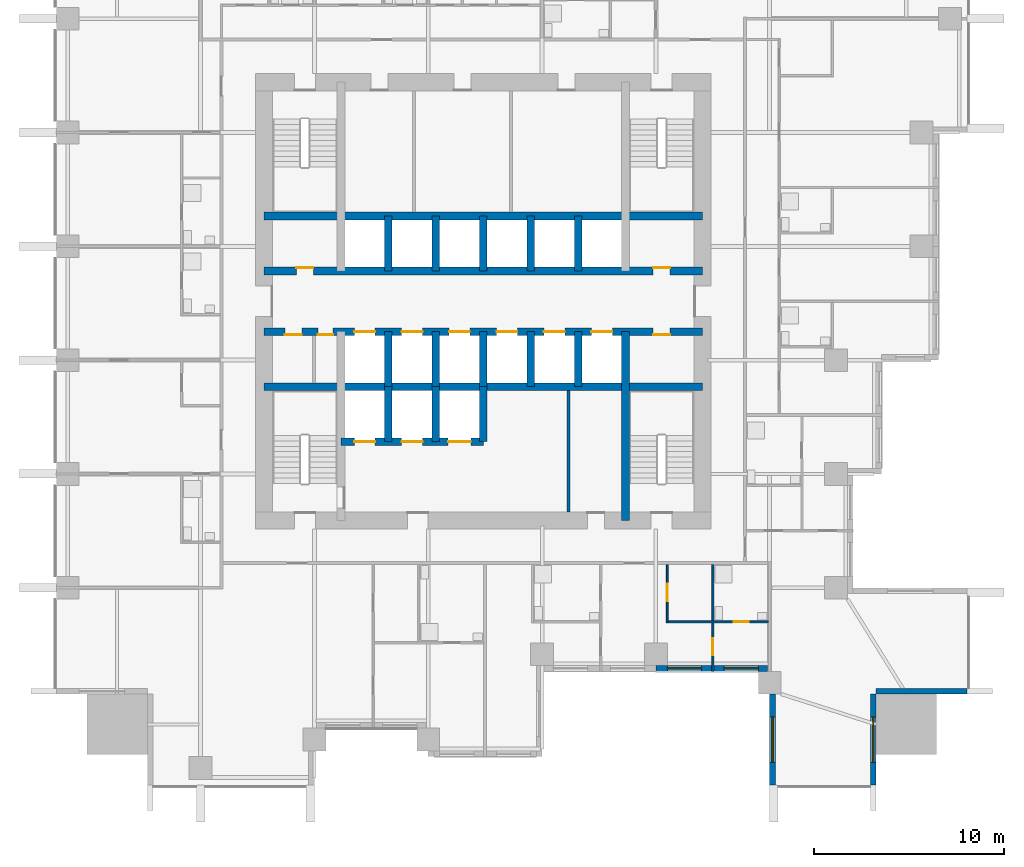
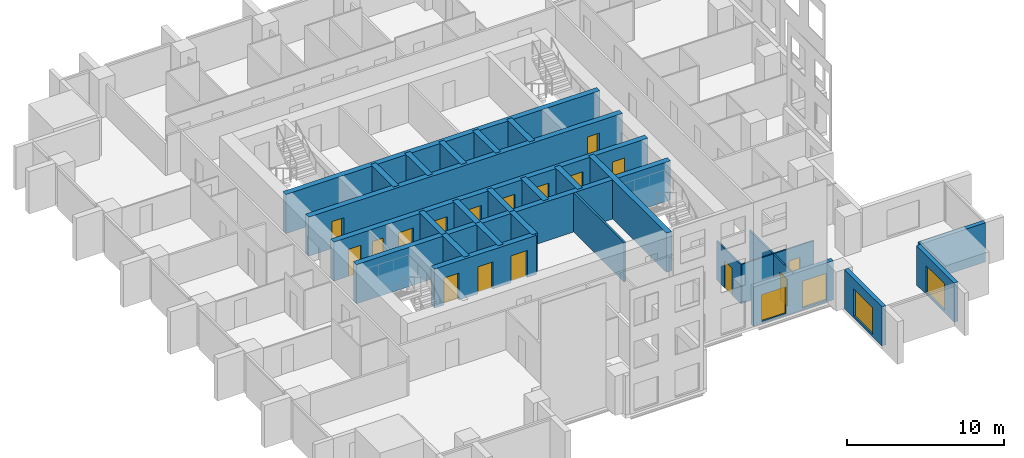
# One storey, part 5 of 11: 27 walls, 17 doors, 4 windows, 21 openings.
"""IFC4 building model written with IfcOpenShell, lengths in metres."""

from ifc_helpers import new_model, si_unit, direction, frame, frame_2d, origin, place, context, subcontext, project, spatial, rectangle, extrude, material, layer, layer_set, type_object, element, fill, save


model = new_model("IFC4")

# Units and contexts
model_context = context("Model", 3, precision=1e-05, world=origin(), true_north=direction((0.0, 1.0)))
body_context = subcontext(model_context, "Body", "Model", "MODEL_VIEW")
ifc_project = project(units=[si_unit("LENGTHUNIT", "METRE"), si_unit("AREAUNIT", "SQUARE_METRE"), si_unit("VOLUMEUNIT", "CUBIC_METRE"), si_unit("PLANEANGLEUNIT", "RADIAN"), si_unit("MASSUNIT", "GRAM", prefix="KILO")], contexts=[model_context])

# Site, building, storey
site_placement = place(None, origin())
site = spatial("IfcSite", under=ifc_project, at=site_placement, CompositionType="ELEMENT")
building_placement = place(site_placement, origin())
building = spatial("IfcBuilding", under=site, at=building_placement, Name="Amberfall Residences", CompositionType="ELEMENT")
storey_placement = place(building_placement, frame((0.0, 0.0, 43.300048828125)))
storey = spatial("IfcBuildingStorey", under=building, at=storey_placement, Name="L11", CompositionType="ELEMENT", Elevation=43.300048828125)

# Wall, opening, window
ifc_material_1 = material(Name="Pale stone cladding on insulated backing", Category="masonry")
ifc_layer_1 = layer(ifc_material_1, 0.300048828125)
ifc_layer_set_1 = layer_set([ifc_layer_1], Name="Bronze clad wall 300")
wall_type_1 = type_object("IfcWallType", Name="Bronze clad wall 300", PredefinedType="SOLIDWALL", material=ifc_layer_set_1)
wall_1_placement = place(storey_placement, frame((89.75, 24.800048828125, 0.0), z_axis=(0.0, 0.0, 1.0), x_axis=(0.0, -1.0, 0.0)))
wall_1 = element("IfcWall", 1, at=wall_1_placement, inside=storey, type_object=wall_type_1, Name="External wall L11 S", PredefinedType="SOLIDWALL", context=body_context, shape_type="SweptSolid", body=[
    extrude(rectangle(XDim=4.800048828125, YDim=0.300048828125, at=frame_2d((2.39990234375, 0.0))), origin(), (0.0, 0.0, 1.0), 3.050048828125),
])
opening_1_placement = place(wall_1_placement, frame((1.199951171875, 0.0, 0.14990234375)))
opening_1 = element("IfcOpeningElement", 2, at=opening_1_placement, cuts=wall_1, Name="Opening WN5", PredefinedType="OPENING", context=body_context, shape_type="SweptSolid", body=[
    extrude(rectangle(XDim=2.39990234375, YDim=2.10009765625, at=frame_2d((1.199951171875, 1.050048828125))), frame((0.0, 0.159912109375, 0.0), z_axis=(0.0, -1.0, 0.0), x_axis=(1.0, 0.0, 0.0)), (0.0, 0.0, 1.0), 0.320068359375),
])
ifc_material_2 = material(Name="Bronze aluminium framed glazing", Category="aluminium")
window_type_1 = type_object("IfcWindowType", Name="Glazed opening 2400 x 2100 bronze", PartitioningType="DOUBLE_PANEL_VERTICAL", PredefinedType="WINDOW", material=ifc_material_2)
window_1_placement = place(opening_1_placement, origin())
window_1 = element("IfcWindow", 3, at=window_1_placement, inside=storey, type_object=window_type_1, Name="Window L11 S", OverallHeight=2.10009765625, OverallWidth=2.39990234375, PartitioningType="DOUBLE_PANEL_VERTICAL", PredefinedType="WINDOW", context=body_context, shape_type="SweptSolid", body=[
    extrude(rectangle(XDim=2.39990234375, YDim=2.10009765625, at=frame_2d((1.199951171875, 1.050048828125))), frame((0.0, 0.030029296875, 0.0), z_axis=(0.0, -1.0, 0.0), x_axis=(1.0, 0.0, 0.0)), (0.0, 0.0, 1.0), 0.06005859375),
])
fill(opening_1, window_1)

wall_2_placement = place(storey_placement, frame((95.050048828125, 20.0, 0.0), z_axis=(0.0, 0.0, 1.0), x_axis=(0.0, 1.0, 0.0)))
wall_2 = element("IfcWall", 4, at=wall_2_placement, inside=storey, type_object=wall_type_1, Name="External wall L11 SE", PredefinedType="SOLIDWALL", context=body_context, shape_type="SweptSolid", body=[
    extrude(rectangle(XDim=4.800048828125, YDim=0.300048828125, at=frame_2d((2.39990234375, 0.0))), origin(), (0.0, 0.0, 1.0), 3.050048828125),
])
opening_2_placement = place(wall_2_placement, frame((1.199951171875, 0.0, 0.14990234375)))
opening_2 = element("IfcOpeningElement", 5, at=opening_2_placement, cuts=wall_2, Name="Opening WN5", PredefinedType="OPENING", context=body_context, shape_type="SweptSolid", body=[
    extrude(rectangle(XDim=2.39990234375, YDim=2.10009765625, at=frame_2d((1.199951171875, 1.050048828125))), frame((0.0, 0.159912109375, 0.0), z_axis=(0.0, -1.0, 0.0), x_axis=(1.0, 0.0, 0.0)), (0.0, 0.0, 1.0), 0.320068359375),
])
window_2_placement = place(opening_2_placement, origin())
window_2 = element("IfcWindow", 6, at=window_2_placement, inside=storey, type_object=window_type_1, Name="Window L11 SE", OverallHeight=2.10009765625, OverallWidth=2.39990234375, PartitioningType="DOUBLE_PANEL_VERTICAL", PredefinedType="WINDOW", context=body_context, shape_type="SweptSolid", body=[
    extrude(rectangle(XDim=2.39990234375, YDim=2.10009765625, at=frame_2d((1.199951171875, 1.050048828125))), frame((0.0, 0.030029296875, 0.0), z_axis=(0.0, -1.0, 0.0), x_axis=(1.0, 0.0, 0.0)), (0.0, 0.0, 1.0), 0.06005859375),
])
fill(opening_2, window_2)

# Wall
wall_3_placement = place(storey_placement, frame((95.199951171875, 24.949951171875, 0.0), z_axis=(0.0, 0.0, 1.0), x_axis=(1.0, 0.0, 0.0)))
element("IfcWall", 7, at=wall_3_placement, inside=storey, type_object=wall_type_1, Name="External wall L11 SE", PredefinedType="SOLIDWALL", context=body_context, shape_type="SweptSolid", body=[
    extrude(rectangle(XDim=4.800048828125, YDim=0.300048828125, at=frame_2d((2.39990234375, 0.0))), origin(), (0.0, 0.0, 1.0), 3.050048828125),
])

# Wall, openings, windows
wall_4_placement = place(storey_placement, frame((83.60009765625, 26.14990234375, 0.0), z_axis=(0.0, 0.0, 1.0), x_axis=(1.0, 0.0, 0.0)))
wall_4 = element("IfcWall", 8, at=wall_4_placement, inside=storey, type_object=wall_type_1, Name="Stone wall L11 S", PredefinedType="SOLIDWALL", context=body_context, shape_type="SweptSolid", body=[
    extrude(rectangle(XDim=5.889892578125, YDim=0.300048828125, at=frame_2d((2.94482421875, 0.0))), origin(), (0.0, 0.0, 1.0), 3.050048828125),
])
opening_3_placement = place(wall_4_placement, frame((0.60009765625, 0.0, 0.14990234375)))
opening_3 = element("IfcOpeningElement", 9, at=opening_3_placement, cuts=wall_4, Name="Opening WN6", PredefinedType="OPENING", context=body_context, shape_type="SweptSolid", body=[
    extrude(rectangle(XDim=1.800048828125, YDim=2.10009765625, at=frame_2d((0.89990234375, 1.050048828125))), frame((0.0, 0.159912109375, 0.0), z_axis=(0.0, -1.0, 0.0), x_axis=(1.0, 0.0, 0.0)), (0.0, 0.0, 1.0), 0.320068359375),
])
opening_4_placement = place(wall_4_placement, frame((3.60009765625, 0.0, 0.14990234375)))
opening_4 = element("IfcOpeningElement", 10, at=opening_4_placement, cuts=wall_4, Name="Opening WN6", PredefinedType="OPENING", context=body_context, shape_type="SweptSolid", body=[
    extrude(rectangle(XDim=1.800048828125, YDim=2.10009765625, at=frame_2d((0.89990234375, 1.050048828125))), frame((0.0, 0.159912109375, 0.0), z_axis=(0.0, -1.0, 0.0), x_axis=(1.0, 0.0, 0.0)), (0.0, 0.0, 1.0), 0.320068359375),
])
window_type_2 = type_object("IfcWindowType", Name="Glazed opening 1800 x 2100 bronze", PartitioningType="DOUBLE_PANEL_VERTICAL", PredefinedType="WINDOW", material=ifc_material_2)
window_3_placement = place(opening_3_placement, origin())
window_3 = element("IfcWindow", 11, at=window_3_placement, inside=storey, type_object=window_type_2, Name="Window L11 S", OverallHeight=2.10009765625, OverallWidth=1.800048828125, PartitioningType="DOUBLE_PANEL_VERTICAL", PredefinedType="WINDOW", context=body_context, shape_type="SweptSolid", body=[
    extrude(rectangle(XDim=1.800048828125, YDim=2.10009765625, at=frame_2d((0.89990234375, 1.050048828125))), frame((0.0, 0.030029296875, 0.0), z_axis=(0.0, -1.0, 0.0), x_axis=(1.0, 0.0, 0.0)), (0.0, 0.0, 1.0), 0.06005859375),
])
fill(opening_3, window_3)
window_4_placement = place(opening_4_placement, origin())
window_4 = element("IfcWindow", 12, at=window_4_placement, inside=storey, type_object=window_type_2, Name="Window L11 S", OverallHeight=2.10009765625, OverallWidth=1.800048828125, PartitioningType="DOUBLE_PANEL_VERTICAL", PredefinedType="WINDOW", context=body_context, shape_type="SweptSolid", body=[
    extrude(rectangle(XDim=1.800048828125, YDim=2.10009765625, at=frame_2d((0.89990234375, 1.050048828125))), frame((0.0, 0.030029296875, 0.0), z_axis=(0.0, -1.0, 0.0), x_axis=(1.0, 0.0, 0.0)), (0.0, 0.0, 1.0), 0.06005859375),
])
fill(opening_4, window_4)

# Wall
ifc_material_3 = material(Name="Concrete C80", Category="concrete")
ifc_layer_2 = layer(ifc_material_3, 0.39990234375)
ifc_layer_set_2 = layer_set([ifc_layer_2], Name="Core wall 400 C80")
wall_type_2 = type_object("IfcWallType", Name="Core wall 400 C80", PredefinedType="SHEAR", material=ifc_layer_set_2)
wall_5_placement = place(storey_placement, frame((62.949951171875, 41.0, 0.0), z_axis=(0.0, 0.0, 1.0), x_axis=(1.0, 0.0, 0.0)))
element("IfcWall", 13, at=wall_5_placement, inside=storey, type_object=wall_type_2, Name="Core wall RW2 L11 H75", PredefinedType="SHEAR", context=body_context, shape_type="SweptSolid", body=[
    extrude(rectangle(XDim=23.10009765625, YDim=0.39990234375, at=frame_2d((11.550048828125, 0.0))), origin(), (0.0, 0.0, 1.0), 3.050048828125),
])

# Wall, openings, doors
wall_6_placement = place(storey_placement, frame((62.949951171875, 43.89990234375, 0.0), z_axis=(0.0, 0.0, 1.0), x_axis=(1.0, 0.0, 0.0)))
wall_6 = element("IfcWall", 14, at=wall_6_placement, inside=storey, type_object=wall_type_2, Name="Core wall RW2 L11 H104", PredefinedType="SHEAR", context=body_context, shape_type="SweptSolid", body=[
    extrude(rectangle(XDim=23.10009765625, YDim=0.39990234375, at=frame_2d((11.550048828125, 0.0))), origin(), (0.0, 0.0, 1.0), 3.050048828125),
])
opening_5_placement = place(wall_6_placement, frame((1.087890625, 0.0, 0.0)))
opening_5 = element("IfcOpeningElement", 15, at=opening_5_placement, cuts=wall_6, Name="Opening RD1", PredefinedType="OPENING", context=body_context, shape_type="SweptSolid", body=[
    extrude(rectangle(XDim=0.89990234375, YDim=2.10009765625, at=frame_2d((0.449951171875, 1.050048828125))), frame((0.0, 0.2099609375, 0.0), z_axis=(0.0, -1.0, 0.0), x_axis=(1.0, 0.0, 0.0)), (0.0, 0.0, 1.0), 0.419921875),
])
opening_6_placement = place(wall_6_placement, frame((2.837890625, 0.0, 0.0)))
opening_6 = element("IfcOpeningElement", 16, at=opening_6_placement, cuts=wall_6, Name="Opening RD2", PredefinedType="OPENING", context=body_context, shape_type="SweptSolid", body=[
    extrude(rectangle(XDim=0.800048828125, YDim=2.10009765625, at=frame_2d((0.39990234375, 1.050048828125))), frame((0.0, 0.2099609375, 0.0), z_axis=(0.0, -1.0, 0.0), x_axis=(1.0, 0.0, 0.0)), (0.0, 0.0, 1.0), 0.419921875),
])
opening_7_placement = place(wall_6_placement, frame((20.5, 0.0, 0.0)))
opening_7 = element("IfcOpeningElement", 17, at=opening_7_placement, cuts=wall_6, Name="Opening RD1", PredefinedType="OPENING", context=body_context, shape_type="SweptSolid", body=[
    extrude(rectangle(XDim=0.89990234375, YDim=2.10009765625, at=frame_2d((0.449951171875, 1.050048828125))), frame((0.0, 0.2099609375, 0.0), z_axis=(0.0, -1.0, 0.0), x_axis=(1.0, 0.0, 0.0)), (0.0, 0.0, 1.0), 0.419921875),
])
opening_8_placement = place(wall_6_placement, frame((4.75, 0.0, 0.0)))
opening_8 = element("IfcOpeningElement", 18, at=opening_8_placement, cuts=wall_6, Name="Opening LD1", PredefinedType="OPENING", context=body_context, shape_type="SweptSolid", body=[
    extrude(rectangle(XDim=1.10009765625, YDim=2.10009765625, at=frame_2d((0.550048828125, 1.050048828125))), frame((0.0, 0.2099609375, 0.0), z_axis=(0.0, -1.0, 0.0), x_axis=(1.0, 0.0, 0.0)), (0.0, 0.0, 1.0), 0.419921875),
])
opening_9_placement = place(wall_6_placement, frame((7.25, 0.0, 0.0)))
opening_9 = element("IfcOpeningElement", 19, at=opening_9_placement, cuts=wall_6, Name="Opening LD1", PredefinedType="OPENING", context=body_context, shape_type="SweptSolid", body=[
    extrude(rectangle(XDim=1.10009765625, YDim=2.10009765625, at=frame_2d((0.550048828125, 1.050048828125))), frame((0.0, 0.2099609375, 0.0), z_axis=(0.0, -1.0, 0.0), x_axis=(1.0, 0.0, 0.0)), (0.0, 0.0, 1.0), 0.419921875),
])
opening_10_placement = place(wall_6_placement, frame((9.75, 0.0, 0.0)))
opening_10 = element("IfcOpeningElement", 20, at=opening_10_placement, cuts=wall_6, Name="Opening LD1", PredefinedType="OPENING", context=body_context, shape_type="SweptSolid", body=[
    extrude(rectangle(XDim=1.10009765625, YDim=2.10009765625, at=frame_2d((0.550048828125, 1.050048828125))), frame((0.0, 0.2099609375, 0.0), z_axis=(0.0, -1.0, 0.0), x_axis=(1.0, 0.0, 0.0)), (0.0, 0.0, 1.0), 0.419921875),
])
opening_11_placement = place(wall_6_placement, frame((12.25, 0.0, 0.0)))
opening_11 = element("IfcOpeningElement", 21, at=opening_11_placement, cuts=wall_6, Name="Opening LD1", PredefinedType="OPENING", context=body_context, shape_type="SweptSolid", body=[
    extrude(rectangle(XDim=1.10009765625, YDim=2.10009765625, at=frame_2d((0.550048828125, 1.050048828125))), frame((0.0, 0.2099609375, 0.0), z_axis=(0.0, -1.0, 0.0), x_axis=(1.0, 0.0, 0.0)), (0.0, 0.0, 1.0), 0.419921875),
])
opening_12_placement = place(wall_6_placement, frame((14.75, 0.0, 0.0)))
opening_12 = element("IfcOpeningElement", 22, at=opening_12_placement, cuts=wall_6, Name="Opening LD1", PredefinedType="OPENING", context=body_context, shape_type="SweptSolid", body=[
    extrude(rectangle(XDim=1.10009765625, YDim=2.10009765625, at=frame_2d((0.550048828125, 1.050048828125))), frame((0.0, 0.2099609375, 0.0), z_axis=(0.0, -1.0, 0.0), x_axis=(1.0, 0.0, 0.0)), (0.0, 0.0, 1.0), 0.419921875),
])
opening_13_placement = place(wall_6_placement, frame((17.25, 0.0, 0.0)))
opening_13 = element("IfcOpeningElement", 23, at=opening_13_placement, cuts=wall_6, Name="Opening LD1", PredefinedType="OPENING", context=body_context, shape_type="SweptSolid", body=[
    extrude(rectangle(XDim=1.10009765625, YDim=2.10009765625, at=frame_2d((0.550048828125, 1.050048828125))), frame((0.0, 0.2099609375, 0.0), z_axis=(0.0, -1.0, 0.0), x_axis=(1.0, 0.0, 0.0)), (0.0, 0.0, 1.0), 0.419921875),
])
ifc_material_4 = material(Name="Steel fire door set", Category="steel")
door_type_1 = type_object("IfcDoorType", Name="Lift landing door 1100 x 2100", OperationType="DOUBLE_DOOR_SLIDING", PredefinedType="DOOR", material=ifc_material_4)
door_1_placement = place(opening_8_placement, origin())
door_1 = element("IfcDoor", 24, at=door_1_placement, inside=storey, type_object=door_type_1, Name="Landing door LP1 L11", OperationType="DOUBLE_DOOR_SLIDING", OverallHeight=2.10009765625, OverallWidth=1.10009765625, PredefinedType="DOOR", context=body_context, shape_type="SweptSolid", body=[
    extrude(rectangle(XDim=1.10009765625, YDim=2.10009765625, at=frame_2d((0.550048828125, 1.050048828125))), frame((0.0, 0.02490234375, 0.0), z_axis=(0.0, -1.0, 0.0), x_axis=(1.0, 0.0, 0.0)), (0.0, 0.0, 1.0), 0.050048828125),
])
fill(opening_8, door_1)
door_2_placement = place(opening_9_placement, origin())
door_2 = element("IfcDoor", 25, at=door_2_placement, inside=storey, type_object=door_type_1, Name="Landing door LP2 L11", OperationType="DOUBLE_DOOR_SLIDING", OverallHeight=2.10009765625, OverallWidth=1.10009765625, PredefinedType="DOOR", context=body_context, shape_type="SweptSolid", body=[
    extrude(rectangle(XDim=1.10009765625, YDim=2.10009765625, at=frame_2d((0.550048828125, 1.050048828125))), frame((0.0, 0.02490234375, 0.0), z_axis=(0.0, -1.0, 0.0), x_axis=(1.0, 0.0, 0.0)), (0.0, 0.0, 1.0), 0.050048828125),
])
fill(opening_9, door_2)
door_3_placement = place(opening_10_placement, origin())
door_3 = element("IfcDoor", 26, at=door_3_placement, inside=storey, type_object=door_type_1, Name="Landing door LP3 L11", OperationType="DOUBLE_DOOR_SLIDING", OverallHeight=2.10009765625, OverallWidth=1.10009765625, PredefinedType="DOOR", context=body_context, shape_type="SweptSolid", body=[
    extrude(rectangle(XDim=1.10009765625, YDim=2.10009765625, at=frame_2d((0.550048828125, 1.050048828125))), frame((0.0, 0.02490234375, 0.0), z_axis=(0.0, -1.0, 0.0), x_axis=(1.0, 0.0, 0.0)), (0.0, 0.0, 1.0), 0.050048828125),
])
fill(opening_10, door_3)
door_4_placement = place(opening_11_placement, origin())
door_4 = element("IfcDoor", 27, at=door_4_placement, inside=storey, type_object=door_type_1, Name="Landing door LP4 L11", OperationType="DOUBLE_DOOR_SLIDING", OverallHeight=2.10009765625, OverallWidth=1.10009765625, PredefinedType="DOOR", context=body_context, shape_type="SweptSolid", body=[
    extrude(rectangle(XDim=1.10009765625, YDim=2.10009765625, at=frame_2d((0.550048828125, 1.050048828125))), frame((0.0, 0.02490234375, 0.0), z_axis=(0.0, -1.0, 0.0), x_axis=(1.0, 0.0, 0.0)), (0.0, 0.0, 1.0), 0.050048828125),
])
fill(opening_11, door_4)
door_5_placement = place(opening_12_placement, origin())
door_5 = element("IfcDoor", 28, at=door_5_placement, inside=storey, type_object=door_type_1, Name="Landing door LP5 L11", OperationType="DOUBLE_DOOR_SLIDING", OverallHeight=2.10009765625, OverallWidth=1.10009765625, PredefinedType="DOOR", context=body_context, shape_type="SweptSolid", body=[
    extrude(rectangle(XDim=1.10009765625, YDim=2.10009765625, at=frame_2d((0.550048828125, 1.050048828125))), frame((0.0, 0.02490234375, 0.0), z_axis=(0.0, -1.0, 0.0), x_axis=(1.0, 0.0, 0.0)), (0.0, 0.0, 1.0), 0.050048828125),
])
fill(opening_12, door_5)
door_6_placement = place(opening_13_placement, origin())
door_6 = element("IfcDoor", 29, at=door_6_placement, inside=storey, type_object=door_type_1, Name="Landing door LP6 L11", OperationType="DOUBLE_DOOR_SLIDING", OverallHeight=2.10009765625, OverallWidth=1.10009765625, PredefinedType="DOOR", context=body_context, shape_type="SweptSolid", body=[
    extrude(rectangle(XDim=1.10009765625, YDim=2.10009765625, at=frame_2d((0.550048828125, 1.050048828125))), frame((0.0, 0.02490234375, 0.0), z_axis=(0.0, -1.0, 0.0), x_axis=(1.0, 0.0, 0.0)), (0.0, 0.0, 1.0), 0.050048828125),
])
fill(opening_13, door_6)
door_type_2 = type_object("IfcDoorType", Name="Service room door 800 x 2100", OperationType="SINGLE_SWING_LEFT", PredefinedType="DOOR", material=ifc_material_4)
door_7_placement = place(opening_6_placement, origin())
door_7 = element("IfcDoor", 30, at=door_7_placement, inside=storey, type_object=door_type_2, Name="RD2 L11", OperationType="SINGLE_SWING_RIGHT", OverallHeight=2.10009765625, OverallWidth=0.800048828125, PredefinedType="DOOR", context=body_context, shape_type="SweptSolid", body=[
    extrude(rectangle(XDim=0.800048828125, YDim=2.10009765625, at=frame_2d((0.39990234375, 1.050048828125))), frame((0.0, -0.1376953125, 0.0), z_axis=(0.0, -1.0, 0.0), x_axis=(1.0, 0.0, 0.0)), (0.0, 0.0, 1.0), 0.050048828125),
])
fill(opening_6, door_7)
door_type_3 = type_object("IfcDoorType", Name="Service room door 900 x 2100", OperationType="SINGLE_SWING_LEFT", PredefinedType="DOOR", material=ifc_material_4)
door_8_placement = place(opening_5_placement, origin())
door_8 = element("IfcDoor", 31, at=door_8_placement, inside=storey, type_object=door_type_3, Name="RD1 L11", OperationType="SINGLE_SWING_LEFT", OverallHeight=2.10009765625, OverallWidth=0.89990234375, PredefinedType="DOOR", context=body_context, shape_type="SweptSolid", body=[
    extrude(rectangle(XDim=0.89990234375, YDim=2.10009765625, at=frame_2d((0.449951171875, 1.050048828125))), frame((0.0, -0.1376953125, 0.0), z_axis=(0.0, -1.0, 0.0), x_axis=(1.0, 0.0, 0.0)), (0.0, 0.0, 1.0), 0.050048828125),
])
fill(opening_5, door_8)
door_9_placement = place(opening_7_placement, origin())
door_9 = element("IfcDoor", 32, at=door_9_placement, inside=storey, type_object=door_type_3, Name="RD1 L11", OperationType="SINGLE_SWING_LEFT", OverallHeight=2.10009765625, OverallWidth=0.89990234375, PredefinedType="DOOR", context=body_context, shape_type="SweptSolid", body=[
    extrude(rectangle(XDim=0.89990234375, YDim=2.10009765625, at=frame_2d((0.449951171875, 1.050048828125))), frame((0.0, -0.1376953125, 0.0), z_axis=(0.0, -1.0, 0.0), x_axis=(1.0, 0.0, 0.0)), (0.0, 0.0, 1.0), 0.050048828125),
])
fill(opening_7, door_9)

wall_7_placement = place(storey_placement, frame((62.949951171875, 47.10009765625, 0.0), z_axis=(0.0, 0.0, 1.0), x_axis=(1.0, 0.0, 0.0)))
wall_7 = element("IfcWall", 33, at=wall_7_placement, inside=storey, type_object=wall_type_2, Name="Core wall RW2 L11 H136", PredefinedType="SHEAR", context=body_context, shape_type="SweptSolid", body=[
    extrude(rectangle(XDim=23.10009765625, YDim=0.39990234375, at=frame_2d((11.550048828125, 0.0))), origin(), (0.0, 0.0, 1.0), 3.050048828125),
])
opening_14_placement = place(wall_7_placement, frame((1.699951171875, 0.0, 0.0)))
opening_14 = element("IfcOpeningElement", 34, at=opening_14_placement, cuts=wall_7, Name="Opening RD1", PredefinedType="OPENING", context=body_context, shape_type="SweptSolid", body=[
    extrude(rectangle(XDim=0.89990234375, YDim=2.10009765625, at=frame_2d((0.449951171875, 1.050048828125))), frame((0.0, 0.2099609375, 0.0), z_axis=(0.0, -1.0, 0.0), x_axis=(1.0, 0.0, 0.0)), (0.0, 0.0, 1.0), 0.419921875),
])
opening_15_placement = place(wall_7_placement, frame((20.5, 0.0, 0.0)))
opening_15 = element("IfcOpeningElement", 35, at=opening_15_placement, cuts=wall_7, Name="Opening RD1", PredefinedType="OPENING", context=body_context, shape_type="SweptSolid", body=[
    extrude(rectangle(XDim=0.89990234375, YDim=2.10009765625, at=frame_2d((0.449951171875, 1.050048828125))), frame((0.0, 0.2099609375, 0.0), z_axis=(0.0, -1.0, 0.0), x_axis=(1.0, 0.0, 0.0)), (0.0, 0.0, 1.0), 0.419921875),
])
door_10_placement = place(opening_14_placement, origin())
door_10 = element("IfcDoor", 36, at=door_10_placement, inside=storey, type_object=door_type_3, Name="RD1 L11", OperationType="SINGLE_SWING_LEFT", OverallHeight=2.10009765625, OverallWidth=0.89990234375, PredefinedType="DOOR", context=body_context, shape_type="SweptSolid", body=[
    extrude(rectangle(XDim=0.89990234375, YDim=2.10009765625, at=frame_2d((0.449951171875, 1.050048828125))), frame((0.0, 0.1875, 0.0), z_axis=(0.0, -1.0, 0.0), x_axis=(1.0, 0.0, 0.0)), (0.0, 0.0, 1.0), 0.050048828125),
])
fill(opening_14, door_10)
door_11_placement = place(opening_15_placement, origin())
door_11 = element("IfcDoor", 37, at=door_11_placement, inside=storey, type_object=door_type_3, Name="RD1 L11", OperationType="SINGLE_SWING_LEFT", OverallHeight=2.10009765625, OverallWidth=0.89990234375, PredefinedType="DOOR", context=body_context, shape_type="SweptSolid", body=[
    extrude(rectangle(XDim=0.89990234375, YDim=2.10009765625, at=frame_2d((0.449951171875, 1.050048828125))), frame((0.0, 0.1875, 0.0), z_axis=(0.0, -1.0, 0.0), x_axis=(1.0, 0.0, 0.0)), (0.0, 0.0, 1.0), 0.050048828125),
])
fill(opening_15, door_11)

# Walls
wall_8_placement = place(storey_placement, frame((62.949951171875, 50.0, 0.0), z_axis=(0.0, 0.0, 1.0), x_axis=(1.0, 0.0, 0.0)))
element("IfcWall", 38, at=wall_8_placement, inside=storey, type_object=wall_type_2, Name="Core wall RW2 L11 H165", PredefinedType="SHEAR", context=body_context, shape_type="SweptSolid", body=[
    extrude(rectangle(XDim=23.10009765625, YDim=0.39990234375, at=frame_2d((11.550048828125, 0.0))), origin(), (0.0, 0.0, 1.0), 3.050048828125),
])
wall_9_placement = place(storey_placement, frame((82.0, 33.949951171875, 0.0), z_axis=(0.0, 0.0, 1.0), x_axis=(0.0, 1.0, 0.0)))
element("IfcWall", 39, at=wall_9_placement, inside=storey, type_object=wall_type_2, Name="Core wall RW2 L11 V195S", PredefinedType="SHEAR", context=body_context, shape_type="SweptSolid", body=[
    extrude(rectangle(XDim=9.949951171875, YDim=0.39990234375, at=frame_2d((4.97509765625, 0.0))), origin(), (0.0, 0.0, 1.0), 3.050048828125),
])
for number, where, z_axis, x_axis, name in (
    (40, (69.5, 41.0, 0.0), (0.0, 0.0, 1.0), (0.0, 1.0, 0.0), "Core wall RW2 L11 LPD1"),
    (41, (69.5, 47.10009765625, 0.0), (0.0, 0.0, 1.0), (0.0, 1.0, 0.0), "Core wall RW2 L11 HPD1"),
    (42, (72.0, 41.0, 0.0), (0.0, 0.0, 1.0), (0.0, 1.0, 0.0), "Core wall RW2 L11 LPD2"),
    (43, (72.0, 47.10009765625, 0.0), (0.0, 0.0, 1.0), (0.0, 1.0, 0.0), "Core wall RW2 L11 HPD2"),
    (44, (74.5, 41.0, 0.0), (0.0, 0.0, 1.0), (0.0, 1.0, 0.0), "Core wall RW2 L11 LPD3"),
    (45, (74.5, 47.10009765625, 0.0), (0.0, 0.0, 1.0), (0.0, 1.0, 0.0), "Core wall RW2 L11 HPD3"),
    (46, (77.0, 41.0, 0.0), (0.0, 0.0, 1.0), (0.0, 1.0, 0.0), "Core wall RW2 L11 LPD4"),
    (47, (77.0, 47.10009765625, 0.0), (0.0, 0.0, 1.0), (0.0, 1.0, 0.0), "Core wall RW2 L11 HPD4"),
    (48, (79.5, 41.0, 0.0), (0.0, 0.0, 1.0), (0.0, 1.0, 0.0), "Core wall RW2 L11 LPD5"),
    (49, (79.5, 47.10009765625, 0.0), (0.0, 0.0, 1.0), (0.0, 1.0, 0.0), "Core wall RW2 L11 HPD5"),
):
    element("IfcWall", number, at=place(storey_placement, frame(where, z_axis=z_axis, x_axis=x_axis)), inside=storey, type_object=wall_type_2, Name=name, PredefinedType="SHEAR", context=body_context, shape_type="SweptSolid", body=[
        extrude(rectangle(XDim=2.89990234375, YDim=0.39990234375, at=frame_2d((1.449951171875, 0.0))), origin(), (0.0, 0.0, 1.0), 3.050048828125),
    ])

# Wall, openings, doors
wall_10_placement = place(storey_placement, frame((67.0, 38.10009765625, 0.0), z_axis=(0.0, 0.0, 1.0), x_axis=(1.0, 0.0, 0.0)))
wall_10 = element("IfcWall", 50, at=wall_10_placement, inside=storey, type_object=wall_type_2, Name="Core wall RW2 L11 FFF", PredefinedType="SHEAR", context=body_context, shape_type="SweptSolid", body=[
    extrude(rectangle(XDim=7.5, YDim=0.39990234375, at=frame_2d((3.75, 0.0))), origin(), (0.0, 0.0, 1.0), 3.050048828125),
])
opening_16_placement = place(wall_10_placement, frame((0.699951171875, 0.0, 0.0)))
opening_16 = element("IfcOpeningElement", 51, at=opening_16_placement, cuts=wall_10, Name="Opening LD2", PredefinedType="OPENING", context=body_context, shape_type="SweptSolid", body=[
    extrude(rectangle(XDim=1.10009765625, YDim=2.10009765625, at=frame_2d((0.550048828125, 1.050048828125))), frame((0.0, 0.2099609375, 0.0), z_axis=(0.0, -1.0, 0.0), x_axis=(1.0, 0.0, 0.0)), (0.0, 0.0, 1.0), 0.419921875),
])
opening_17_placement = place(wall_10_placement, frame((3.199951171875, 0.0, 0.0)))
opening_17 = element("IfcOpeningElement", 52, at=opening_17_placement, cuts=wall_10, Name="Opening LD2", PredefinedType="OPENING", context=body_context, shape_type="SweptSolid", body=[
    extrude(rectangle(XDim=1.10009765625, YDim=2.10009765625, at=frame_2d((0.550048828125, 1.050048828125))), frame((0.0, 0.2099609375, 0.0), z_axis=(0.0, -1.0, 0.0), x_axis=(1.0, 0.0, 0.0)), (0.0, 0.0, 1.0), 0.419921875),
])
opening_18_placement = place(wall_10_placement, frame((5.64990234375, 0.0, 0.0)))
opening_18 = element("IfcOpeningElement", 53, at=opening_18_placement, cuts=wall_10, Name="Opening LD3", PredefinedType="OPENING", context=body_context, shape_type="SweptSolid", body=[
    extrude(rectangle(XDim=1.199951171875, YDim=2.10009765625, at=frame_2d((0.60009765625, 1.050048828125))), frame((0.0, 0.2099609375, 0.0), z_axis=(0.0, -1.0, 0.0), x_axis=(1.0, 0.0, 0.0)), (0.0, 0.0, 1.0), 0.419921875),
])
door_type_4 = type_object("IfcDoorType", Name="Firefighting lift landing door 1100 x 2100", OperationType="DOUBLE_DOOR_SLIDING", PredefinedType="DOOR", material=ifc_material_4)
door_12_placement = place(opening_16_placement, origin())
door_12 = element("IfcDoor", 54, at=door_12_placement, inside=storey, type_object=door_type_4, Name="Landing door FF1 L11", OperationType="DOUBLE_DOOR_SLIDING", OverallHeight=2.10009765625, OverallWidth=1.10009765625, PredefinedType="DOOR", context=body_context, shape_type="SweptSolid", body=[
    extrude(rectangle(XDim=1.10009765625, YDim=2.10009765625, at=frame_2d((0.550048828125, 1.050048828125))), frame((0.0, 0.02490234375, 0.0), z_axis=(0.0, -1.0, 0.0), x_axis=(1.0, 0.0, 0.0)), (0.0, 0.0, 1.0), 0.050048828125),
])
fill(opening_16, door_12)
door_13_placement = place(opening_17_placement, origin())
door_13 = element("IfcDoor", 55, at=door_13_placement, inside=storey, type_object=door_type_4, Name="Landing door FF2 L11", OperationType="DOUBLE_DOOR_SLIDING", OverallHeight=2.10009765625, OverallWidth=1.10009765625, PredefinedType="DOOR", context=body_context, shape_type="SweptSolid", body=[
    extrude(rectangle(XDim=1.10009765625, YDim=2.10009765625, at=frame_2d((0.550048828125, 1.050048828125))), frame((0.0, 0.02490234375, 0.0), z_axis=(0.0, -1.0, 0.0), x_axis=(1.0, 0.0, 0.0)), (0.0, 0.0, 1.0), 0.050048828125),
])
fill(opening_17, door_13)
door_type_5 = type_object("IfcDoorType", Name="Service lift landing door 1200 x 2100", OperationType="DOUBLE_DOOR_SLIDING", PredefinedType="DOOR", material=ifc_material_4)
door_14_placement = place(opening_18_placement, origin())
door_14 = element("IfcDoor", 56, at=door_14_placement, inside=storey, type_object=door_type_5, Name="Landing door SL1 L11", OperationType="DOUBLE_DOOR_SLIDING", OverallHeight=2.10009765625, OverallWidth=1.199951171875, PredefinedType="DOOR", context=body_context, shape_type="SweptSolid", body=[
    extrude(rectangle(XDim=1.199951171875, YDim=2.10009765625, at=frame_2d((0.60009765625, 1.050048828125))), frame((0.0, 0.02490234375, 0.0), z_axis=(0.0, -1.0, 0.0), x_axis=(1.0, 0.0, 0.0)), (0.0, 0.0, 1.0), 0.050048828125),
])
fill(opening_18, door_14)

# Walls
for number, where, z_axis, x_axis, name in (
    (57, (69.5, 38.10009765625, 0.0), (0.0, 0.0, 1.0), (0.0, 1.0, 0.0), "Core wall RW2 L11 FFD1"),
    (58, (72.0, 38.10009765625, 0.0), (0.0, 0.0, 1.0), (0.0, 1.0, 0.0), "Core wall RW2 L11 FFD2"),
    (59, (74.5, 38.10009765625, 0.0), (0.0, 0.0, 1.0), (0.0, 1.0, 0.0), "Core wall RW2 L11 FFD3"),
):
    element("IfcWall", number, at=place(storey_placement, frame(where, z_axis=z_axis, x_axis=x_axis)), inside=storey, type_object=wall_type_2, Name=name, PredefinedType="SHEAR", context=body_context, shape_type="SweptSolid", body=[
        extrude(rectangle(XDim=2.89990234375, YDim=0.39990234375, at=frame_2d((1.449951171875, 0.0))), origin(), (0.0, 0.0, 1.0), 3.050048828125),
    ])

# Wall, opening, door
ifc_material_5 = material(Name="Gypsum board on metal stud")
ifc_layer_3 = layer(ifc_material_5, 0.10009765625)
ifc_layer_set_3 = layer_set([ifc_layer_3], Name="Flat partition 100")
wall_type_3 = type_object("IfcWallType", Name="Flat partition 100", PredefinedType="PARTITIONING", material=ifc_layer_set_3)
wall_11_placement = place(storey_placement, frame((84.199951171875, 31.625, 0.0), z_axis=(0.0, 0.0, 1.0), x_axis=(0.0, -1.0, 0.0)))
wall_11 = element("IfcWall", 60, at=wall_11_placement, inside=storey, type_object=wall_type_3, Name="Partition 017", PredefinedType="PARTITIONING", context=body_context, shape_type="SweptSolid", body=[
    extrude(rectangle(XDim=3.074951171875, YDim=0.10009765625, at=frame_2d((1.53759765625, 0.0))), origin(), (0.0, 0.0, 1.0), 3.050048828125),
])
opening_19_placement = place(wall_11_placement, frame((1.02490234375, 0.0, 0.0)))
opening_19 = element("IfcOpeningElement", 61, at=opening_19_placement, cuts=wall_11, Name="Opening D41", PredefinedType="OPENING", context=body_context, shape_type="SweptSolid", body=[
    extrude(rectangle(XDim=0.89990234375, YDim=2.10009765625, at=frame_2d((0.449951171875, 1.050048828125))), frame((0.0, 0.06005859375, 0.0), z_axis=(0.0, -1.0, 0.0), x_axis=(1.0, 0.0, 0.0)), (0.0, 0.0, 1.0), 0.1201171875),
])
ifc_material_6 = material(Name="Timber", Category="wood")
door_type_6 = type_object("IfcDoorType", Name="Internal door 900 x 2100", OperationType="SINGLE_SWING_LEFT", PredefinedType="DOOR", material=ifc_material_6)
door_15_placement = place(opening_19_placement, origin())
door_15 = element("IfcDoor", 62, at=door_15_placement, inside=storey, type_object=door_type_6, Name="Door 1102 kitchen", OperationType="SINGLE_SWING_LEFT", OverallHeight=2.10009765625, OverallWidth=0.89990234375, PredefinedType="DOOR", context=body_context, shape_type="SweptSolid", body=[
    extrude(rectangle(XDim=0.89990234375, YDim=2.10009765625, at=frame_2d((0.449951171875, 1.050048828125))), frame((0.0, 0.02490234375, 0.0), z_axis=(0.0, -1.0, 0.0), x_axis=(1.0, 0.0, 0.0)), (0.0, 0.0, 1.0), 0.050048828125),
])
fill(opening_19, door_15)

wall_12_placement = place(storey_placement, frame((86.60009765625, 31.625, 0.0), z_axis=(0.0, 0.0, 1.0), x_axis=(0.0, -1.0, 0.0)))
wall_12 = element("IfcWall", 63, at=wall_12_placement, inside=storey, type_object=wall_type_3, Name="Partition 018", PredefinedType="PARTITIONING", context=body_context, shape_type="SweptSolid", body=[
    extrude(rectangle(XDim=5.625, YDim=0.10009765625, at=frame_2d((2.8125, 0.0))), origin(), (0.0, 0.0, 1.0), 3.050048828125),
])
opening_20_placement = place(wall_12_placement, frame((3.875, 0.0, 0.0)))
opening_20 = element("IfcOpeningElement", 64, at=opening_20_placement, cuts=wall_12, Name="Opening D41", PredefinedType="OPENING", context=body_context, shape_type="SweptSolid", body=[
    extrude(rectangle(XDim=0.89990234375, YDim=2.10009765625, at=frame_2d((0.449951171875, 1.050048828125))), frame((0.0, 0.06005859375, 0.0), z_axis=(0.0, -1.0, 0.0), x_axis=(1.0, 0.0, 0.0)), (0.0, 0.0, 1.0), 0.1201171875),
])
door_16_placement = place(opening_20_placement, origin())
door_16 = element("IfcDoor", 65, at=door_16_placement, inside=storey, type_object=door_type_6, Name="Door 1102 bedroom2", OperationType="SINGLE_SWING_LEFT", OverallHeight=2.10009765625, OverallWidth=0.89990234375, PredefinedType="DOOR", context=body_context, shape_type="SweptSolid", body=[
    extrude(rectangle(XDim=0.89990234375, YDim=2.10009765625, at=frame_2d((0.449951171875, 1.050048828125))), frame((0.0, 0.02490234375, 0.0), z_axis=(0.0, -1.0, 0.0), x_axis=(1.0, 0.0, 0.0)), (0.0, 0.0, 1.0), 0.050048828125),
])
fill(opening_20, door_16)

wall_13_placement = place(storey_placement, frame((84.25, 28.60009765625, 0.0), z_axis=(0.0, 0.0, 1.0), x_axis=(1.0, 0.0, 0.0)))
wall_13 = element("IfcWall", 66, at=wall_13_placement, inside=storey, type_object=wall_type_3, Name="Partition 045", PredefinedType="PARTITIONING", context=body_context, shape_type="SweptSolid", body=[
    extrude(rectangle(XDim=5.27490234375, YDim=0.10009765625, at=frame_2d((2.637451171875, 0.0))), origin(), (0.0, 0.0, 1.0), 3.050048828125),
])
opening_21_placement = place(wall_13_placement, frame((3.449951171875, 0.0, 0.0)))
opening_21 = element("IfcOpeningElement", 67, at=opening_21_placement, cuts=wall_13, Name="Opening D42", PredefinedType="OPENING", context=body_context, shape_type="SweptSolid", body=[
    extrude(rectangle(XDim=0.800048828125, YDim=2.10009765625, at=frame_2d((0.39990234375, 1.050048828125))), frame((0.0, 0.06005859375, 0.0), z_axis=(0.0, -1.0, 0.0), x_axis=(1.0, 0.0, 0.0)), (0.0, 0.0, 1.0), 0.1201171875),
])
door_type_7 = type_object("IfcDoorType", Name="Bathroom door 800 x 2100", OperationType="SINGLE_SWING_LEFT", PredefinedType="DOOR", material=ifc_material_6)
door_17_placement = place(opening_21_placement, origin())
door_17 = element("IfcDoor", 68, at=door_17_placement, inside=storey, type_object=door_type_7, Name="Door 1102 bath2", OperationType="SINGLE_SWING_LEFT", OverallHeight=2.10009765625, OverallWidth=0.800048828125, PredefinedType="DOOR", context=body_context, shape_type="SweptSolid", body=[
    extrude(rectangle(XDim=0.800048828125, YDim=2.10009765625, at=frame_2d((0.39990234375, 1.050048828125))), frame((0.0, 0.02490234375, 0.0), z_axis=(0.0, -1.0, 0.0), x_axis=(1.0, 0.0, 0.0)), (0.0, 0.0, 1.0), 0.050048828125),
])
fill(opening_21, door_17)

# Wall
ifc_material_7 = material(Name="Concrete blockwork", Category="masonry")
ifc_layer_4 = layer(ifc_material_7, 0.14990234375)
ifc_layer_set_4 = layer_set([ifc_layer_4], Name="Riser wall 150")
wall_type_4 = type_object("IfcWallType", Name="Riser wall 150", PredefinedType="PLUMBINGWALL", material=ifc_layer_set_4)
wall_14_placement = place(storey_placement, frame((79.0, 34.39990234375, 0.0), z_axis=(0.0, 0.0, 1.0), x_axis=(0.0, 1.0, 0.0)))
element("IfcWall", 69, at=wall_14_placement, inside=storey, type_object=wall_type_4, Name="L11 core wall PX", PredefinedType="PLUMBINGWALL", context=body_context, shape_type="SweptSolid", body=[
    extrude(rectangle(XDim=6.400146484375, YDim=0.14990234375, at=frame_2d((3.2001953125, 0.0))), origin(), (0.0, 0.0, 1.0), 3.050048828125),
])

save(model, "model.ifc")
